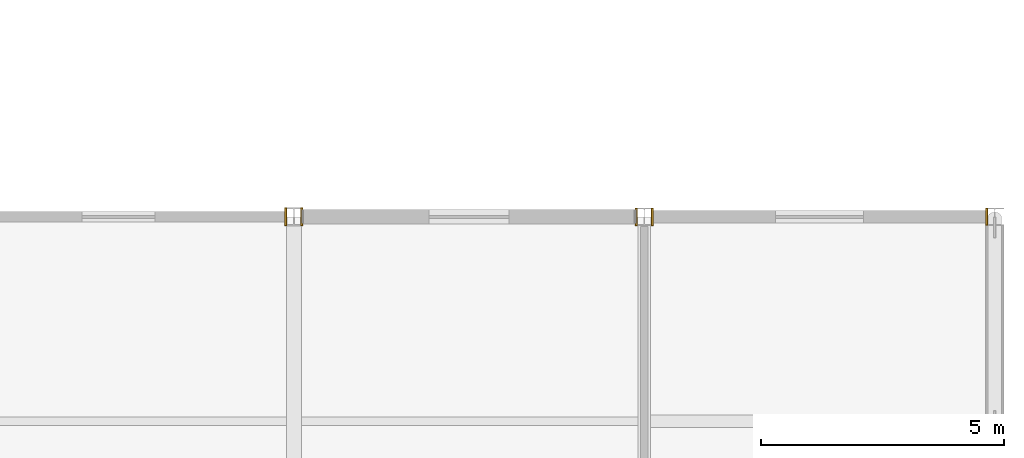
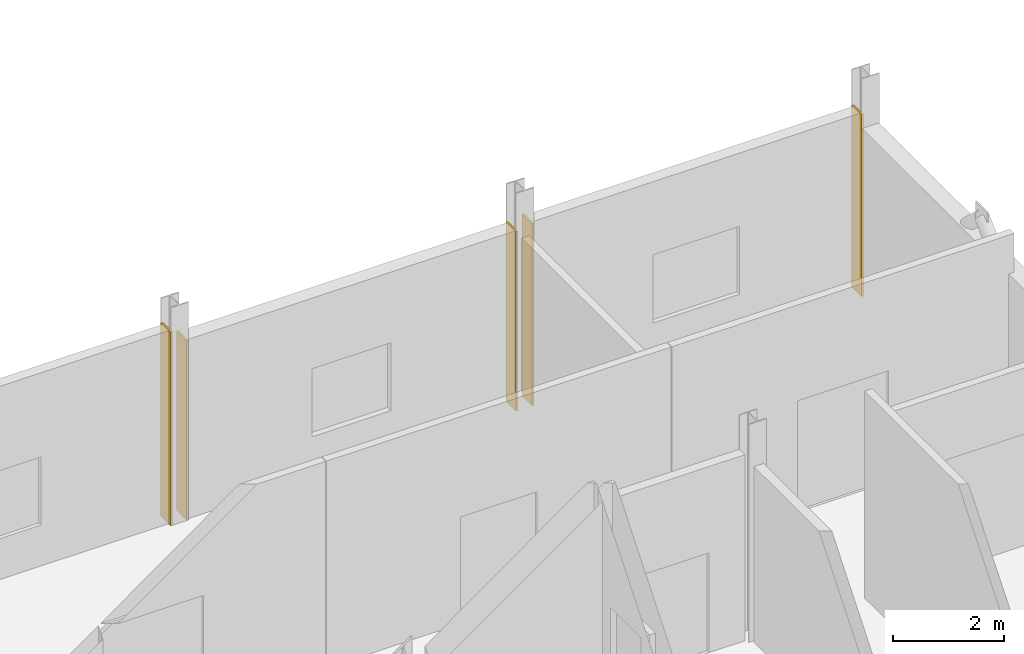
# One storey, part 44 of 45: 5 coverings.
"""IFC4 building model written with IfcOpenShell, lengths in metres."""

from ifc_helpers import new_model, si_unit, direction, frame, origin, place, context, subcontext, project, spatial, polyline, outline, extrude, material, layer, layer_set, type_object, element, save


model = new_model("IFC4")

# Units and contexts
model_context = context("Model", 3, precision=1e-05, world=origin(), true_north=direction((0.0, 1.0)))
body_context = subcontext(model_context, "Body", "Model", "MODEL_VIEW")
ifc_project = project(units=[si_unit("LENGTHUNIT", "METRE"), si_unit("AREAUNIT", "SQUARE_METRE"), si_unit("VOLUMEUNIT", "CUBIC_METRE"), si_unit("PLANEANGLEUNIT", "RADIAN"), si_unit("MASSUNIT", "GRAM", prefix="KILO")], contexts=[model_context])

# Site, building, storey
site_placement = place(None, origin())
site = spatial("IfcSite", under=ifc_project, at=site_placement, CompositionType="ELEMENT")
building_placement = place(site_placement, origin())
building = spatial("IfcBuilding", under=site, at=building_placement, Name="Calvrana Isthmian Art Gallery", CompositionType="ELEMENT")
storey_placement = place(building_placement, frame((0.0, 0.0, 19.800048828125)))
storey = spatial("IfcBuildingStorey", under=building, at=storey_placement, Name="L04", CompositionType="ELEMENT", Elevation=19.800048828125)

# Coverings
ifc_material = material(Name="Polychrome glazed terracotta", Category="masonry")
ifc_layer = layer(ifc_material, 0.0400390625, Name="Polychrome glazed terracotta")
ifc_layer_set = layer_set([ifc_layer], Name="Polychrome glazed terracotta")
covering_type = type_object("IfcCoveringType", Name="COV-CLAD-TERRA", PredefinedType="CLADDING", material=ifc_layer_set)
covering_1_placement = place(storey_placement, origin())
element("IfcCovering", 1, at=covering_1_placement, inside=storey, type_object=covering_type, Name="Column pocket weather closure L04-15-06-E", PredefinedType="CLADDING", context=body_context, shape_type="SweptSolid", body=[
    extrude(outline(polyline([(127.013427734375, 46.618408203125), (127.053466796875, 46.618408203125), (127.053466796875, 46.9814453125), (127.013427734375, 46.9814453125), (127.013427734375, 46.618408203125)])), origin(), (0.0, 0.0, 1.0), 4.255126953125),
])
covering_2_placement = place(storey_placement, origin())
element("IfcCovering", 2, at=covering_2_placement, inside=storey, type_object=covering_type, Name="Column pocket weather closure L04-16-06-W", PredefinedType="CLADDING", context=body_context, shape_type="SweptSolid", body=[
    extrude(outline(polyline([(127.346435546875, 46.618408203125), (127.386474609375, 46.618408203125), (127.386474609375, 46.9814453125), (127.346435546875, 46.9814453125), (127.346435546875, 46.618408203125)])), origin(), (0.0, 0.0, 1.0), 3.952880859375),
])
covering_3_placement = place(storey_placement, origin())
element("IfcCovering", 3, at=covering_3_placement, inside=storey, type_object=covering_type, Name="Column pocket weather closure L04-16-06-E", PredefinedType="CLADDING", context=body_context, shape_type="SweptSolid", body=[
    extrude(outline(polyline([(134.21337890625, 46.62109375), (134.25341796875, 46.62109375), (134.25341796875, 46.97900390625), (134.21337890625, 46.97900390625), (134.21337890625, 46.62109375)])), origin(), (0.0, 0.0, 1.0), 3.952880859375),
])
covering_4_placement = place(storey_placement, origin())
element("IfcCovering", 4, at=covering_4_placement, inside=storey, type_object=covering_type, Name="Column pocket weather closure L04-17-06-W", PredefinedType="CLADDING", context=body_context, shape_type="SweptSolid", body=[
    extrude(outline(polyline([(134.54638671875, 46.62109375), (134.58642578125, 46.62109375), (134.58642578125, 46.97900390625), (134.54638671875, 46.97900390625), (134.54638671875, 46.62109375)])), origin(), (0.0, 0.0, 1.0), 4.010986328125),
])
covering_5_placement = place(storey_placement, origin())
element("IfcCovering", 5, at=covering_5_placement, inside=storey, type_object=covering_type, Name="Column pocket weather closure L04-17-06-E", PredefinedType="CLADDING", context=body_context, shape_type="SweptSolid", body=[
    extrude(outline(polyline([(141.41455078125, 46.62353515625), (141.45458984375, 46.62353515625), (141.45458984375, 46.9765625), (141.41455078125, 46.9765625), (141.41455078125, 46.62353515625)])), origin(), (0.0, 0.0, 1.0), 4.010986328125),
])

save(model, "model.ifc")
